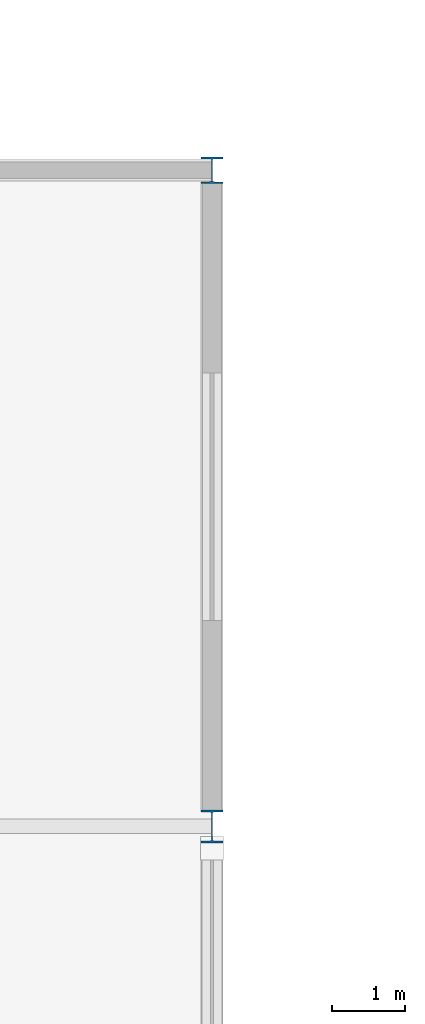
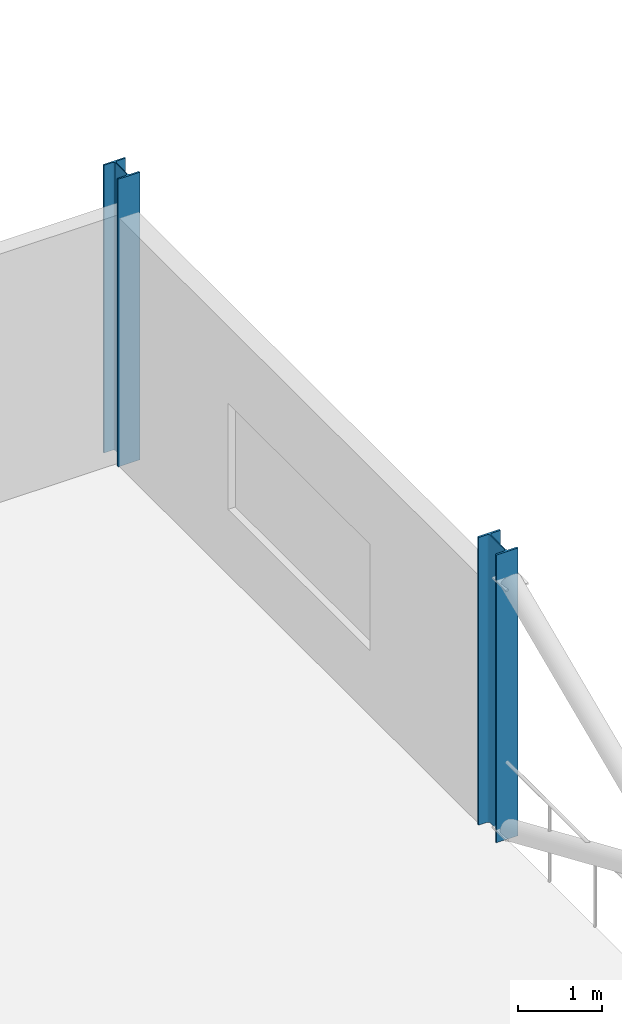
# One storey, part 21 of 140: 2 columns.
"""IFC4 building model written with IfcOpenShell, lengths in metres."""

from ifc_helpers import new_model, si_unit, direction, frame, origin, origin_2d, place, context, subcontext, project, spatial, i_section, extrude, material, material_profile, profile_set, type_object, element, save


model = new_model("IFC4")

# Units and contexts
model_context = context("Model", 3, precision=1e-05, world=origin(), true_north=direction((0.0, 1.0)))
body_context = subcontext(model_context, "Body", "Model", "MODEL_VIEW")
ifc_project = project(units=[si_unit("LENGTHUNIT", "METRE"), si_unit("AREAUNIT", "SQUARE_METRE"), si_unit("VOLUMEUNIT", "CUBIC_METRE"), si_unit("PLANEANGLEUNIT", "RADIAN"), si_unit("MASSUNIT", "GRAM", prefix="KILO")], contexts=[model_context])

# Site, building, storey
site_placement = place(None, origin())
site = spatial("IfcSite", under=ifc_project, at=site_placement, CompositionType="ELEMENT")
building_placement = place(site_placement, origin())
building = spatial("IfcBuilding", under=site, at=building_placement, Name="Deido Ridge Mobility Hub", CompositionType="ELEMENT")
storey_placement = place(building_placement, origin())
storey = spatial("IfcBuildingStorey", under=building, at=storey_placement, Name="L00", CompositionType="ELEMENT", Elevation=0.0)

# Columns
ifc_material = material(Name="Steel S355J2 EN 10025-2", Category="steel")
ifc_material_profile_1 = material_profile(ifc_material, i_section(OverallWidth=0.300048828125, OverallDepth=0.360107421875, WebThickness=0.012451171875, FlangeThickness=0.0224609375, FilletRadius=0.027099609375, at=origin_2d()), Name="HEB 360")
ifc_profile_set_1 = profile_set([ifc_material_profile_1], Name="Steel S355J2 EN 10025-2")
column_type_1 = type_object("IfcColumnType", Name="COL-HEB360", PredefinedType="COLUMN", material=ifc_profile_set_1)
column_1_placement = place(storey_placement, frame((180.0, 72.0, 0.0), z_axis=(0.0, 0.0, 1.0), x_axis=(1.0, 0.0, 0.0)))
element("IfcColumn", 1, at=column_1_placement, inside=storey, type_object=column_type_1, Name="Structural column C8", PredefinedType="COLUMN", context=body_context, shape_type="SweptSolid", body=[
    extrude(i_section(OverallWidth=0.300048828125, OverallDepth=0.360107421875, WebThickness=0.012451171875, FlangeThickness=0.0224609375, FilletRadius=0.027099609375, at=origin_2d()), origin(), (0.0, 0.0, 1.0), 4.199951171875),
])
ifc_material_profile_2 = material_profile(ifc_material, i_section(OverallWidth=0.300048828125, OverallDepth=0.449951171875, WebThickness=0.013916015625, FlangeThickness=0.02587890625, FilletRadius=0.027099609375, at=origin_2d()), Name="HEB 450")
ifc_profile_set_2 = profile_set([ifc_material_profile_2], Name="Steel S355J2 EN 10025-2")
column_type_2 = type_object("IfcColumnType", Name="COL-HEB450", PredefinedType="COLUMN", material=ifc_profile_set_2)
column_2_placement = place(storey_placement, frame((180.0, 63.0, 0.0), z_axis=(0.0, 0.0, 1.0), x_axis=(1.0, 0.0, 0.0)))
element("IfcColumn", 2, at=column_2_placement, inside=storey, type_object=column_type_2, Name="Structural column C6", PredefinedType="COLUMN", context=body_context, shape_type="SweptSolid", body=[
    extrude(i_section(OverallWidth=0.300048828125, OverallDepth=0.449951171875, WebThickness=0.013916015625, FlangeThickness=0.02587890625, FilletRadius=0.027099609375, at=origin_2d()), origin(), (0.0, 0.0, 1.0), 4.199951171875),
])

save(model, "model.ifc")
